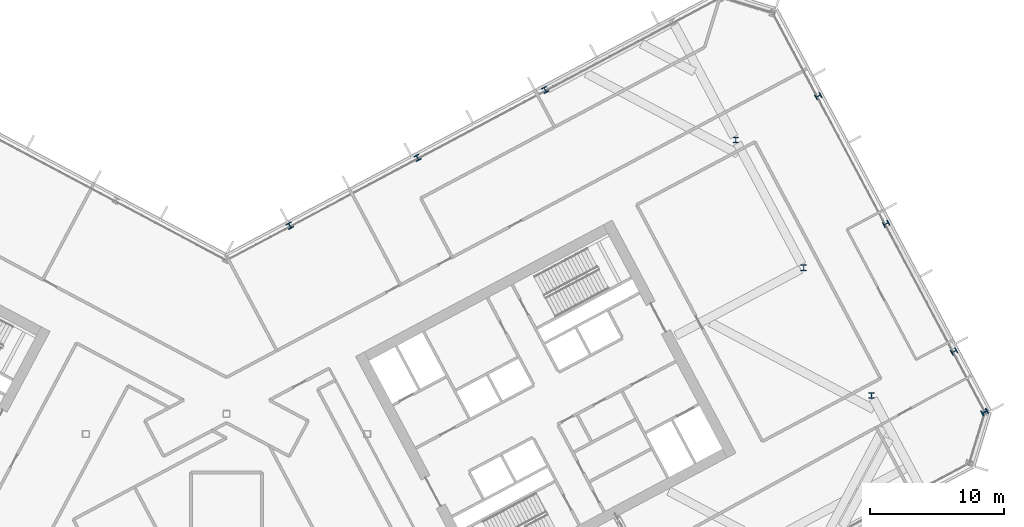
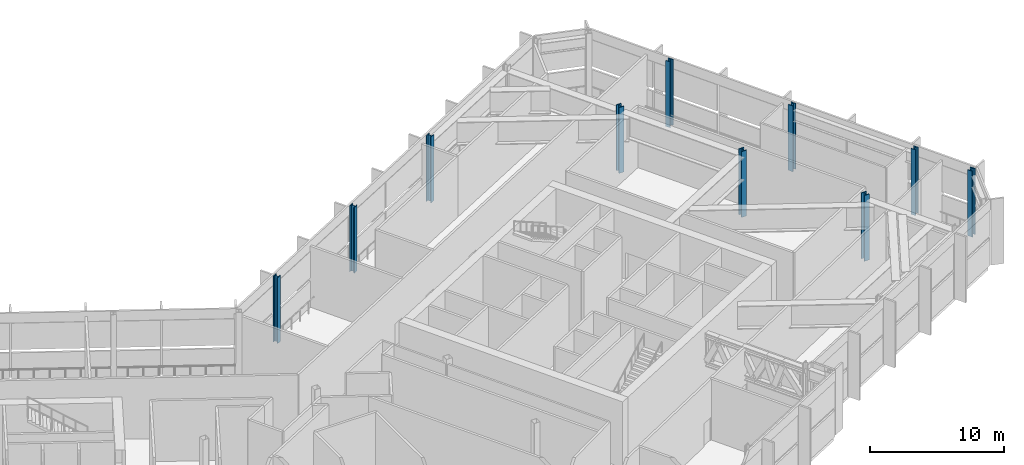
# One storey, part 7 of 33: 10 columns.
"""IFC4 building model written with IfcOpenShell, lengths in metres."""

from ifc_helpers import new_model, si_unit, direction, frame, origin, origin_2d, place, context, subcontext, project, spatial, i_section, extrude, material, material_profile, profile_set, type_object, element, save


model = new_model("IFC4")

# Units and contexts
model_context = context("Model", 3, precision=1e-05, world=origin(), true_north=direction((0.0, 1.0)))
body_context = subcontext(model_context, "Body", "Model", "MODEL_VIEW")
ifc_project = project(units=[si_unit("LENGTHUNIT", "METRE"), si_unit("AREAUNIT", "SQUARE_METRE"), si_unit("VOLUMEUNIT", "CUBIC_METRE"), si_unit("PLANEANGLEUNIT", "RADIAN"), si_unit("MASSUNIT", "GRAM", prefix="KILO")], contexts=[model_context])

# Site, building, storey
site_placement = place(None, origin())
site = spatial("IfcSite", under=ifc_project, at=site_placement, CompositionType="ELEMENT")
building_placement = place(site_placement, origin())
building = spatial("IfcBuilding", under=site, at=building_placement, Name="Cormorant Relay Tower", CompositionType="ELEMENT")
storey_placement = place(building_placement, frame((0.0, 0.0, 183.60009765625)))
storey = spatial("IfcBuildingStorey", under=building, at=storey_placement, Name="L39", CompositionType="ELEMENT", Elevation=183.60009765625)

# Columns
ifc_material_1 = material(Name="Steel ASTM A992 (Fy 345 MPa)", Category="steel")
ifc_material_profile_1 = material_profile(ifc_material_1, i_section(OverallWidth=0.41162109375, OverallDepth=0.434326171875, WebThickness=0.035888671875, FlangeThickness=0.057373046875, FilletRadius=0.01513671875, at=origin_2d()), Name="W360x463")
ifc_profile_set_1 = profile_set([ifc_material_profile_1], Name="Steel ASTM A992 (Fy 345 MPa)")
column_type_1 = type_object("IfcColumnType", Name="Column W360x463", PredefinedType="COLUMN", material=ifc_profile_set_1)
for number, where, z_axis, x_axis, name in (
    (1, (54.321044921875, 16.65087890625, 0.0), (0.0, 0.0, 1.0), (-0.469471562786, 0.882947592859, 0.0), "Column L39-029"),
    (2, (4.72509765625, 26.047119140625, 0.0), (0.0, 0.0, 1.0), (-0.882947592859, -0.469471562786, 0.0), "Column L39-034"),
    (3, (49.2509765625, 26.18701171875, 0.0), (0.0, 0.0, 1.0), (-0.469471562786, 0.882947592859, 0.0), "Column L39-035"),
    (4, (14.260986328125, 31.116943359375, 0.0), (0.0, 0.0, 1.0), (-0.882947592859, -0.469471562786, 0.0), "Column L39-038"),
    (5, (44.180908203125, 35.722900390625, 0.0), (0.0, 0.0, 1.0), (-0.469471562786, 0.882947592859, 0.0), "Column L39-042"),
    (6, (23.7958984375, 36.18798828125, 0.0), (0.0, 0.0, 1.0), (-0.882947592859, -0.469471562786, 0.0), "Column L39-043"),
):
    element("IfcColumn", number, at=place(storey_placement, frame(where, z_axis=z_axis, x_axis=x_axis)), inside=storey, type_object=column_type_1, Name=name, PredefinedType="COLUMN", context=body_context, shape_type="SweptSolid", body=[
        extrude(i_section(OverallWidth=0.41162109375, OverallDepth=0.434326171875, WebThickness=0.035888671875, FlangeThickness=0.057373046875, FilletRadius=0.01513671875, at=origin_2d()), origin(), (0.0, 0.0, 1.0), 6.0),
    ])
ifc_material_2 = material(Name="Steel ASTM A992 (Fy 345 MPa)", Category="steel")
ifc_material_profile_2 = material_profile(ifc_material_2, i_section(OverallWidth=0.42431640625, OverallDepth=0.47509765625, WebThickness=0.0478515625, FlangeThickness=0.0771484375, FilletRadius=0.014892578125, at=origin_2d()), Name="W360x634")
ifc_profile_set_2 = profile_set([ifc_material_profile_2], Name="Steel ASTM A992 (Fy 345 MPa)")
column_type_2 = type_object("IfcColumnType", Name="Column W360x634", PredefinedType="COLUMN", material=ifc_profile_set_2)
for number, where, z_axis, x_axis, name in (
    (7, (56.60791015625, 12.1298828125, 0.0), (0.0, 0.0, 1.0), (-0.469471562786, 0.882947592859, 0.0), "Column L39-026"),
    (8, (48.157958984375, 13.3740234375, 0.0), (0.0, 0.0, 1.0), (1.0, 0.0, 0.0), "Column L39-027"),
    (9, (43.087890625, 22.909912109375, 0.0), (0.0, 0.0, 1.0), (1.0, 0.0, 0.0), "Column L39-031"),
    (10, (38.01806640625, 32.446044921875, 0.0), (0.0, 0.0, 1.0), (1.0, 0.0, 0.0), "Column L39-039"),
):
    element("IfcColumn", number, at=place(storey_placement, frame(where, z_axis=z_axis, x_axis=x_axis)), inside=storey, type_object=column_type_2, Name=name, PredefinedType="COLUMN", context=body_context, shape_type="SweptSolid", body=[
        extrude(i_section(OverallWidth=0.42431640625, OverallDepth=0.47509765625, WebThickness=0.0478515625, FlangeThickness=0.0771484375, FilletRadius=0.014892578125, at=origin_2d()), origin(), (0.0, 0.0, 1.0), 6.0),
    ])

save(model, "model.ifc")
